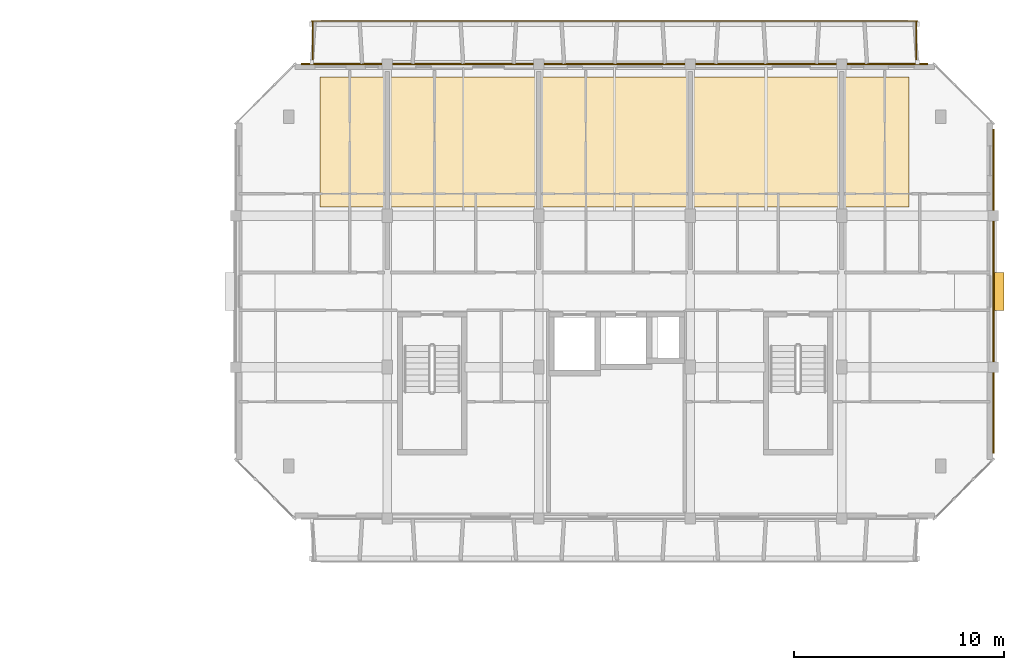
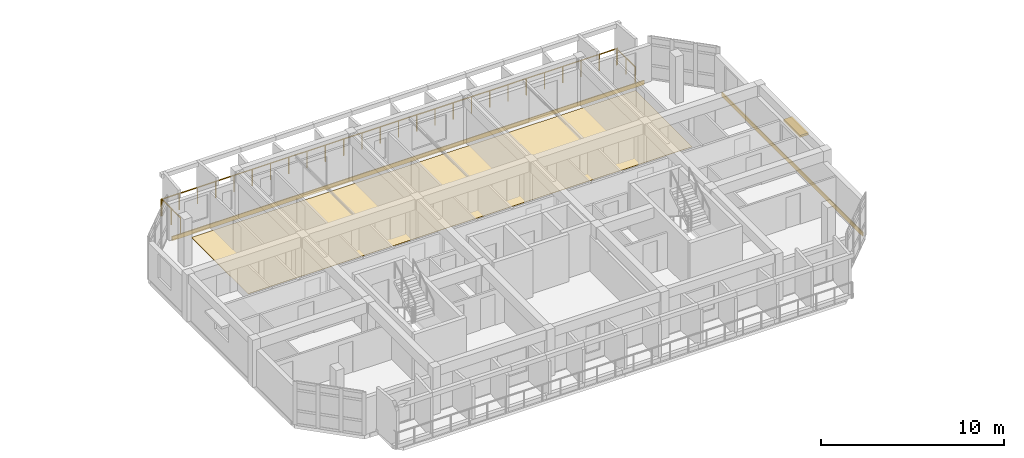
# One storey, part 46 of 46: 3 coverings, 3 railings, 1 shading device.
"""IFC4 building model written with IfcOpenShell, lengths in metres."""

from ifc_helpers import new_model, si_unit, direction, frame, origin, origin_2d, place, context, subcontext, project, spatial, polyline, rectangle, circle, outline, extrude, material, layer, layer_set, type_object, element, save


model = new_model("IFC4")

# Units and contexts
model_context = context("Model", 3, precision=1e-05, world=origin(), true_north=direction((0.0, 1.0)))
body_context = subcontext(model_context, "Body", "Model", "MODEL_VIEW")
ifc_project = project(units=[si_unit("LENGTHUNIT", "METRE"), si_unit("AREAUNIT", "SQUARE_METRE"), si_unit("VOLUMEUNIT", "CUBIC_METRE"), si_unit("PLANEANGLEUNIT", "RADIAN"), si_unit("MASSUNIT", "GRAM", prefix="KILO")], contexts=[model_context])

# Site, building, storey
site_placement = place(None, origin())
site = spatial("IfcSite", under=ifc_project, at=site_placement, CompositionType="ELEMENT")
building_placement = place(site_placement, origin())
building = spatial("IfcBuilding", under=site, at=building_placement, Name="Ochrevale Crest", CompositionType="ELEMENT")
storey_placement = place(building_placement, frame((0.0, 0.0, 24.449951171875)))
storey = spatial("IfcBuildingStorey", under=building, at=storey_placement, Name="L07", CompositionType="ELEMENT", Elevation=24.449951171875)

# Coverings
ifc_material_1 = material(Name="Glazed terracotta rainscreen tile", Category="masonry")
ifc_layer_1 = layer(ifc_material_1, 0.048095703125)
ifc_layer_set_1 = layer_set([ifc_layer_1], Name="Glazed terracotta rainscreen tile")
covering_type_1 = type_object("IfcCoveringType", Name="COV-CLAD-TER", PredefinedType="CLADDING", material=ifc_layer_set_1)
covering_1_placement = place(storey_placement, frame((165.614501953125, 82.800048828125, -0.259765625), z_axis=(0.0, 0.0, 1.0), x_axis=(0.0, 1.0, 0.0)))
element("IfcCovering", 1, at=covering_1_placement, inside=storey, type_object=covering_type_1, Name="Block D L07 terracotta slab-edge spandrel cladding", PredefinedType="CLADDING", context=body_context, shape_type="SweptSolid", body=[
    extrude(rectangle(XDim=15.39990234375, YDim=0.06005859375, at=origin_2d()), origin(), (0.0, 0.0, 1.0), 0.280029296875),
])
covering_2_placement = place(storey_placement, frame((147.60009765625, 93.612548828125, -0.259765625), z_axis=(0.0, 0.0, 1.0), x_axis=(-1.0, 0.0, 0.0)))
element("IfcCovering", 2, at=covering_2_placement, inside=storey, type_object=covering_type_1, Name="Block D L07 terracotta slab-edge spandrel cladding", PredefinedType="CLADDING", context=body_context, shape_type="SweptSolid", body=[
    extrude(rectangle(XDim=29.800048828125, YDim=0.06005859375, at=origin_2d()), origin(), (0.0, 0.0, 1.0), 0.280029296875),
])
ifc_material_2 = material(Name="Engineered spotted-gum hardwood flooring", Category="wood")
ifc_layer_2 = layer(ifc_material_2, 0.02001953125)
ifc_layer_set_2 = layer_set([ifc_layer_2], Name="Engineered spotted-gum hardwood flooring")
covering_type_2 = type_object("IfcCoveringType", Name="COV-FLR-TIM", PredefinedType="FLOORING", material=ifc_layer_set_2)
covering_3_placement = place(storey_placement, origin())
element("IfcCovering", 3, at=covering_3_placement, inside=storey, type_object=covering_type_2, Name="Block D L07 spotted-gum apartment flooring", PredefinedType="FLOORING", context=body_context, shape_type="SweptSolid", body=[
    extrude(outline(polyline([(133.60009765625, 86.800048828125), (161.60009765625, 86.800048828125), (161.60009765625, 93.0), (133.60009765625, 93.0), (133.60009765625, 86.800048828125)])), origin(), (0.0, 0.0, 1.0), 0.02001953125),
])

# Railings
ifc_material_3 = material(Name="Galvanised steel", Category="steel")
railing_type = type_object("IfcRailingType", Name="RL-BAL-1100", PredefinedType="BALUSTRADE", material=ifc_material_3)
railing_placement = place(storey_placement, frame((133.199951171875, 95.639892578125, 0.0)))
element("IfcRailing", 4, at=railing_placement, inside=storey, type_object=railing_type, Name="Block D L07 N balcony front balustrade", PredefinedType="BALUSTRADE", context=body_context, shape_type="SweptSolid", body=[
    extrude(circle(Radius=0.02392578125, at=origin_2d()), frame((0.0, 0.0, 1.0859375), z_axis=(1.0, 0.0, 0.0), x_axis=(0.0, 1.0, 0.0)), (0.0, 0.0, 1.0), 28.800048828125),
    extrude(circle(Radius=0.02099609375, at=origin_2d()), origin(), (0.0, 0.0, 1.0), 1.06201171875),
    extrude(circle(Radius=0.02099609375, at=origin_2d()), frame((1.152099609375, 0.0, 0.0)), (0.0, 0.0, 1.0), 1.06201171875),
    extrude(circle(Radius=0.02099609375, at=origin_2d()), frame((2.303955078125, 0.0, 0.0)), (0.0, 0.0, 1.0), 1.06201171875),
    extrude(circle(Radius=0.02099609375, at=origin_2d()), frame((3.4560546875, 0.0, 0.0)), (0.0, 0.0, 1.0), 1.06201171875),
    extrude(circle(Radius=0.02099609375, at=origin_2d()), frame((4.60791015625, 0.0, 0.0)), (0.0, 0.0, 1.0), 1.06201171875),
    extrude(circle(Radius=0.02099609375, at=origin_2d()), frame((5.760009765625, 0.0, 0.0)), (0.0, 0.0, 1.0), 1.06201171875),
    extrude(circle(Radius=0.02099609375, at=origin_2d()), frame((6.912109375, 0.0, 0.0)), (0.0, 0.0, 1.0), 1.06201171875),
    extrude(circle(Radius=0.02099609375, at=origin_2d()), frame((8.06396484375, 0.0, 0.0)), (0.0, 0.0, 1.0), 1.06201171875),
    extrude(circle(Radius=0.02099609375, at=origin_2d()), frame((9.216064453125, 0.0, 0.0)), (0.0, 0.0, 1.0), 1.06201171875),
    extrude(circle(Radius=0.02099609375, at=origin_2d()), frame((10.367919921875, 0.0, 0.0)), (0.0, 0.0, 1.0), 1.06201171875),
    extrude(circle(Radius=0.02099609375, at=origin_2d()), frame((11.52001953125, 0.0, 0.0)), (0.0, 0.0, 1.0), 1.06201171875),
    extrude(circle(Radius=0.02099609375, at=origin_2d()), frame((12.672119140625, 0.0, 0.0)), (0.0, 0.0, 1.0), 1.06201171875),
    extrude(circle(Radius=0.02099609375, at=origin_2d()), frame((13.823974609375, 0.0, 0.0)), (0.0, 0.0, 1.0), 1.06201171875),
    extrude(circle(Radius=0.02099609375, at=origin_2d()), frame((14.97607421875, 0.0, 0.0)), (0.0, 0.0, 1.0), 1.06201171875),
    extrude(circle(Radius=0.02099609375, at=origin_2d()), frame((16.1279296875, 0.0, 0.0)), (0.0, 0.0, 1.0), 1.06201171875),
    extrude(circle(Radius=0.02099609375, at=origin_2d()), frame((17.280029296875, 0.0, 0.0)), (0.0, 0.0, 1.0), 1.06201171875),
    extrude(circle(Radius=0.02099609375, at=origin_2d()), frame((18.43212890625, 0.0, 0.0)), (0.0, 0.0, 1.0), 1.06201171875),
    extrude(circle(Radius=0.02099609375, at=origin_2d()), frame((19.583984375, 0.0, 0.0)), (0.0, 0.0, 1.0), 1.06201171875),
    extrude(circle(Radius=0.02099609375, at=origin_2d()), frame((20.736083984375, 0.0, 0.0)), (0.0, 0.0, 1.0), 1.06201171875),
    extrude(circle(Radius=0.02099609375, at=origin_2d()), frame((21.887939453125, 0.0, 0.0)), (0.0, 0.0, 1.0), 1.06201171875),
    extrude(circle(Radius=0.02099609375, at=origin_2d()), frame((23.0400390625, 0.0, 0.0)), (0.0, 0.0, 1.0), 1.06201171875),
    extrude(circle(Radius=0.02099609375, at=origin_2d()), frame((24.192138671875, 0.0, 0.0)), (0.0, 0.0, 1.0), 1.06201171875),
    extrude(circle(Radius=0.02099609375, at=origin_2d()), frame((25.343994140625, 0.0, 0.0)), (0.0, 0.0, 1.0), 1.06201171875),
    extrude(circle(Radius=0.02099609375, at=origin_2d()), frame((26.49609375, 0.0, 0.0)), (0.0, 0.0, 1.0), 1.06201171875),
    extrude(circle(Radius=0.02099609375, at=origin_2d()), frame((27.64794921875, 0.0, 0.0)), (0.0, 0.0, 1.0), 1.06201171875),
    extrude(circle(Radius=0.02099609375, at=origin_2d()), frame((28.800048828125, 0.0, 0.0)), (0.0, 0.0, 1.0), 1.06201171875),
])
for number, where, name in (
    (5, (133.260009765625, 93.60009765625, 0.0), "Block D L07 N-W balcony side guard"),
    (6, (161.93994140625, 93.60009765625, 0.0), "Block D L07 N-E balcony side guard"),
):
    element("IfcRailing", number, at=place(storey_placement, frame(where)), inside=storey, type_object=railing_type, Name=name, PredefinedType="BALUSTRADE", context=body_context, shape_type="SweptSolid", body=[
        extrude(circle(Radius=0.02392578125, at=origin_2d()), frame((0.0, 0.0, 1.0859375), z_axis=(0.0, 1.0, 0.0), x_axis=(-1.0, 0.0, 0.0)), (0.0, 0.0, 1.0), 2.039794921875),
        extrude(circle(Radius=0.02099609375, at=origin_2d()), origin(), (0.0, 0.0, 1.0), 1.06201171875),
        extrude(circle(Radius=0.02099609375, at=origin_2d()), frame((0.0, 1.02001953125, 0.0)), (0.0, 0.0, 1.0), 1.06201171875),
        extrude(circle(Radius=0.02099609375, at=origin_2d()), frame((0.0, 2.039794921875, 0.0)), (0.0, 0.0, 1.0), 1.06201171875),
    ])

# Shading device
ifc_material_4 = material(Name="Anodised aluminium 6063-T5", Category="aluminium")
shading_device_type = type_object("IfcShadingDeviceType", Name="SHD-SUNSHADE-OC", PredefinedType="USERDEFINED", material=ifc_material_4)
shading_device_placement = place(storey_placement, frame((165.840087890625, 82.800048828125, 2.2099609375), z_axis=(0.0, 0.0, 1.0), x_axis=(1.0, 0.0, 0.0)))
element("IfcShadingDevice", 7, at=shading_device_placement, inside=storey, type_object=shading_device_type, Name="Block D L07 gable window sunshade E", ObjectType="HORIZONTAL SUNSHADE", PredefinedType="USERDEFINED", context=body_context, shape_type="SweptSolid", body=[
    extrude(rectangle(XDim=0.550048828125, YDim=1.800048828125, at=origin_2d()), origin(), (0.0, 0.0, 1.0), 0.139892578125),
])

save(model, "model.ifc")
